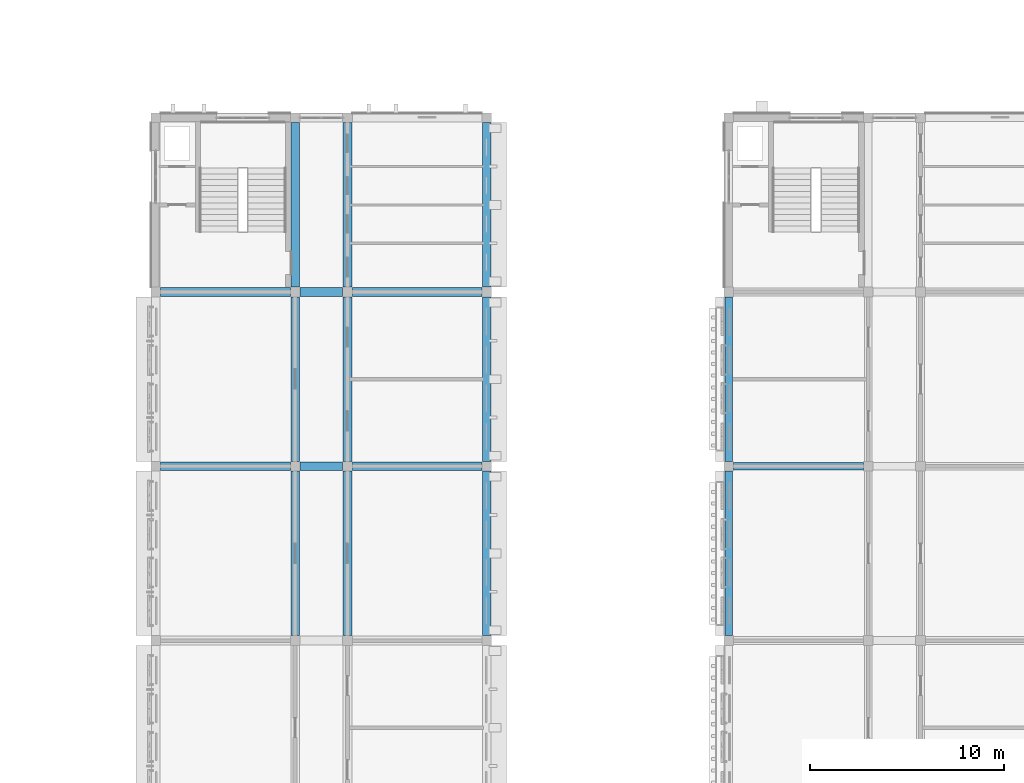
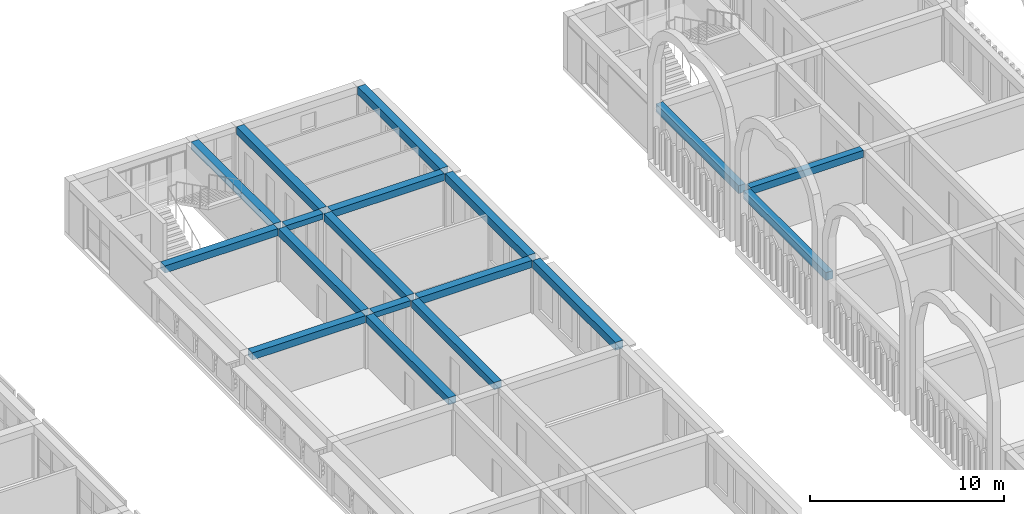
# One storey, part 22 of 82: 18 beams.
"""IFC4 building model written with IfcOpenShell, lengths in metres."""

from ifc_helpers import new_model, si_unit, direction, frame, origin, origin_2d, place, context, subcontext, project, spatial, rectangle, extrude, material, material_profile, profile_set, type_object, element, save


model = new_model("IFC4")

# Units and contexts
model_context = context("Model", 3, precision=1e-05, world=origin(), true_north=direction((0.0, 1.0)))
body_context = subcontext(model_context, "Body", "Model", "MODEL_VIEW")
ifc_project = project(units=[si_unit("LENGTHUNIT", "METRE"), si_unit("AREAUNIT", "SQUARE_METRE"), si_unit("VOLUMEUNIT", "CUBIC_METRE"), si_unit("PLANEANGLEUNIT", "RADIAN"), si_unit("MASSUNIT", "GRAM", prefix="KILO")], contexts=[model_context])

# Site, building, storey
site_placement = place(None, origin())
site = spatial("IfcSite", under=ifc_project, at=site_placement, CompositionType="ELEMENT")
building_placement = place(site_placement, origin())
building = spatial("IfcBuilding", under=site, at=building_placement, Name="Elbe Cascade School", CompositionType="ELEMENT")
storey_placement = place(building_placement, frame((0.0, 0.0, 4.5)))
storey = spatial("IfcBuildingStorey", under=building, at=storey_placement, Name="L01", CompositionType="ELEMENT", Elevation=4.5)

# Beams
ifc_material_1 = material(Name="Concrete C30/37", Category="concrete")
ifc_material_profile_1 = material_profile(ifc_material_1, rectangle(XDim=0.39990234375, YDim=0.449951171875, at=origin_2d()), Name="RC 400x450")
ifc_profile_set_1 = profile_set([ifc_material_profile_1], Name="Concrete C30/37")
beam_type_1 = type_object("IfcBeamType", Name="RC 400x450 beam", PredefinedType="BEAM", material=ifc_profile_set_1)
beam_placement = place(storey_placement, frame((128.449951171875, 42.0, 3.125), z_axis=(1.0, 0.0, 0.0), x_axis=(0.0, 1.0, 0.0)))
element("IfcBeam", 1, at=beam_placement, inside=storey, type_object=beam_type_1, Name="RC 400x450 beam B2", PredefinedType="BEAM", context=body_context, shape_type="SweptSolid", body=[
    extrude(rectangle(XDim=0.39990234375, YDim=0.449951171875, at=origin_2d()), origin(), (0.0, 0.0, 1.0), 6.699951171875),
])
ifc_material_2 = material(Name="Concrete C30/37", Category="concrete")
ifc_material_profile_2 = material_profile(ifc_material_2, rectangle(XDim=0.39990234375, YDim=0.5, at=origin_2d()), Name="RC 400x500")
ifc_profile_set_2 = profile_set([ifc_material_profile_2], Name="Concrete C30/37")
beam_type_2 = type_object("IfcBeamType", Name="RC 400x500 beam", PredefinedType="BEAM", material=ifc_profile_set_2)
for number, where, z_axis, x_axis, name in (
    (2, (128.199951171875, 33.25, 3.10009765625), (0.0, 1.0, 0.0), (-1.0, 0.0, 0.0), "RC 400x500 beam B1"),
    (3, (128.199951171875, 42.25, 3.10009765625), (0.0, 1.0, 0.0), (-1.0, 0.0, 0.0), "RC 400x500 beam B1"),
):
    element("IfcBeam", number, at=place(storey_placement, frame(where, z_axis=z_axis, x_axis=x_axis)), inside=storey, type_object=beam_type_2, Name=name, PredefinedType="BEAM", context=body_context, shape_type="SweptSolid", body=[
        extrude(rectangle(XDim=0.39990234375, YDim=0.5, at=origin_2d()), origin(), (0.0, 0.0, 1.0), 8.5),
    ])
ifc_material_3 = material(Name="Concrete C30/37", Category="concrete")
ifc_material_profile_3 = material_profile(ifc_material_3, rectangle(XDim=0.449951171875, YDim=0.35009765625, at=origin_2d()), Name="RC 450x350")
ifc_profile_set_3 = profile_set([ifc_material_profile_3], Name="Concrete C30/37")
beam_type_3 = type_object("IfcBeamType", Name="RC 450x350 beam", PredefinedType="BEAM", material=ifc_profile_set_3)
for number, where, z_axis, x_axis, name in (
    (4, (106.050048828125, 42.0, 3.175048828125), (1.0, 0.0, 0.0), (0.0, 1.0, 0.0), "RC 450x350 beam B11"),
    (5, (106.050048828125, 51.0, 3.175048828125), (1.0, 0.0, 0.0), (0.0, 1.0, 0.0), "RC 450x350 beam B11"),
):
    element("IfcBeam", number, at=place(storey_placement, frame(where, z_axis=z_axis, x_axis=x_axis)), inside=storey, type_object=beam_type_3, Name=name, PredefinedType="BEAM", context=body_context, shape_type="SweptSolid", body=[
        extrude(rectangle(XDim=0.449951171875, YDim=0.35009765625, at=origin_2d()), origin(), (0.0, 0.0, 1.0), 2.199951171875),
    ])
ifc_material_4 = material(Name="Concrete C30/37", Category="concrete")
ifc_material_profile_4 = material_profile(ifc_material_4, rectangle(XDim=0.449951171875, YDim=0.449951171875, at=origin_2d()), Name="RC 450x450")
ifc_profile_set_4 = profile_set([ifc_material_profile_4], Name="Concrete C30/37")
beam_type_4 = type_object("IfcBeamType", Name="RC 450x450 beam", PredefinedType="BEAM", material=ifc_profile_set_4)
for number, where, z_axis, x_axis, name in (
    (6, (105.800048828125, 33.25, 3.125), (0.0, 1.0, 0.0), (-1.0, 0.0, 0.0), "RC 450x450 beam B10"),
    (7, (105.800048828125, 42.25, 3.125), (0.0, 1.0, 0.0), (-1.0, 0.0, 0.0), "RC 450x450 beam B10"),
    (8, (105.800048828125, 51.25, 3.125), (0.0, 1.0, 0.0), (-1.0, 0.0, 0.0), "RC 450x450 beam B10"),
    (9, (108.5, 33.25, 3.125), (0.0, 1.0, 0.0), (-1.0, 0.0, 0.0), "RC 450x450 beam B10"),
    (10, (108.5, 42.25, 3.125), (0.0, 1.0, 0.0), (-1.0, 0.0, 0.0), "RC 450x450 beam B10"),
    (11, (108.5, 51.25, 3.125), (0.0, 1.0, 0.0), (-1.0, 0.0, 0.0), "RC 450x450 beam B10"),
):
    element("IfcBeam", number, at=place(storey_placement, frame(where, z_axis=z_axis, x_axis=x_axis)), inside=storey, type_object=beam_type_4, Name=name, PredefinedType="BEAM", context=body_context, shape_type="SweptSolid", body=[
        extrude(rectangle(XDim=0.449951171875, YDim=0.449951171875, at=origin_2d()), origin(), (0.0, 0.0, 1.0), 8.5),
    ])
for number, where, z_axis, x_axis, name in (
    (12, (98.85009765625, 42.0, 3.125), (1.0, 0.0, 0.0), (0.0, 1.0, 0.0), "RC 450x450 beam B10"),
    (13, (108.75, 42.0, 3.125), (1.0, 0.0, 0.0), (0.0, 1.0, 0.0), "RC 450x450 beam B10"),
    (14, (98.85009765625, 51.0, 3.125), (1.0, 0.0, 0.0), (0.0, 1.0, 0.0), "RC 450x450 beam B10"),
    (15, (108.75, 51.0, 3.125), (1.0, 0.0, 0.0), (0.0, 1.0, 0.0), "RC 450x450 beam B10"),
):
    element("IfcBeam", number, at=place(storey_placement, frame(where, z_axis=z_axis, x_axis=x_axis)), inside=storey, type_object=beam_type_4, Name=name, PredefinedType="BEAM", context=body_context, shape_type="SweptSolid", body=[
        extrude(rectangle(XDim=0.449951171875, YDim=0.449951171875, at=origin_2d()), origin(), (0.0, 0.0, 1.0), 6.699951171875),
    ])
ifc_material_5 = material(Name="Concrete C30/37", Category="concrete")
ifc_material_profile_5 = material_profile(ifc_material_5, rectangle(XDim=0.449951171875, YDim=0.5, at=origin_2d()), Name="RC 450x500")
ifc_profile_set_5 = profile_set([ifc_material_profile_5], Name="Concrete C30/37")
beam_type_5 = type_object("IfcBeamType", Name="RC 450x500 beam", PredefinedType="BEAM", material=ifc_profile_set_5)
for number, where, z_axis, x_axis, name in (
    (16, (115.699951171875, 33.25, 3.10009765625), (0.0, 1.0, 0.0), (-1.0, 0.0, 0.0), "RC 450x500 beam B9"),
    (17, (115.699951171875, 42.25, 3.10009765625), (0.0, 1.0, 0.0), (-1.0, 0.0, 0.0), "RC 450x500 beam B9"),
    (18, (115.699951171875, 51.25, 3.10009765625), (0.0, 1.0, 0.0), (-1.0, 0.0, 0.0), "RC 450x500 beam B9"),
):
    element("IfcBeam", number, at=place(storey_placement, frame(where, z_axis=z_axis, x_axis=x_axis)), inside=storey, type_object=beam_type_5, Name=name, PredefinedType="BEAM", context=body_context, shape_type="SweptSolid", body=[
        extrude(rectangle(XDim=0.449951171875, YDim=0.5, at=origin_2d()), origin(), (0.0, 0.0, 1.0), 8.5),
    ])

save(model, "model.ifc")
